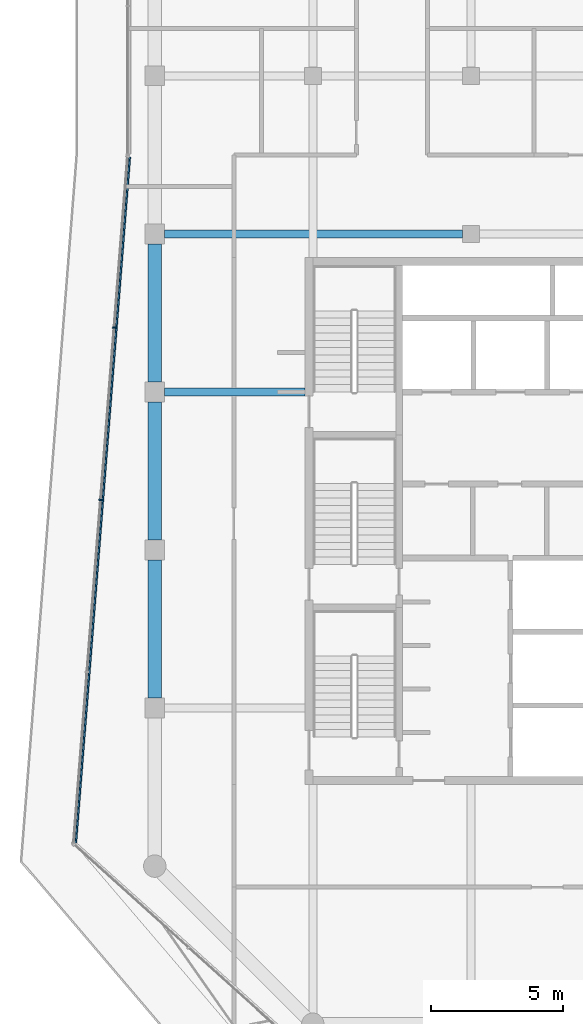
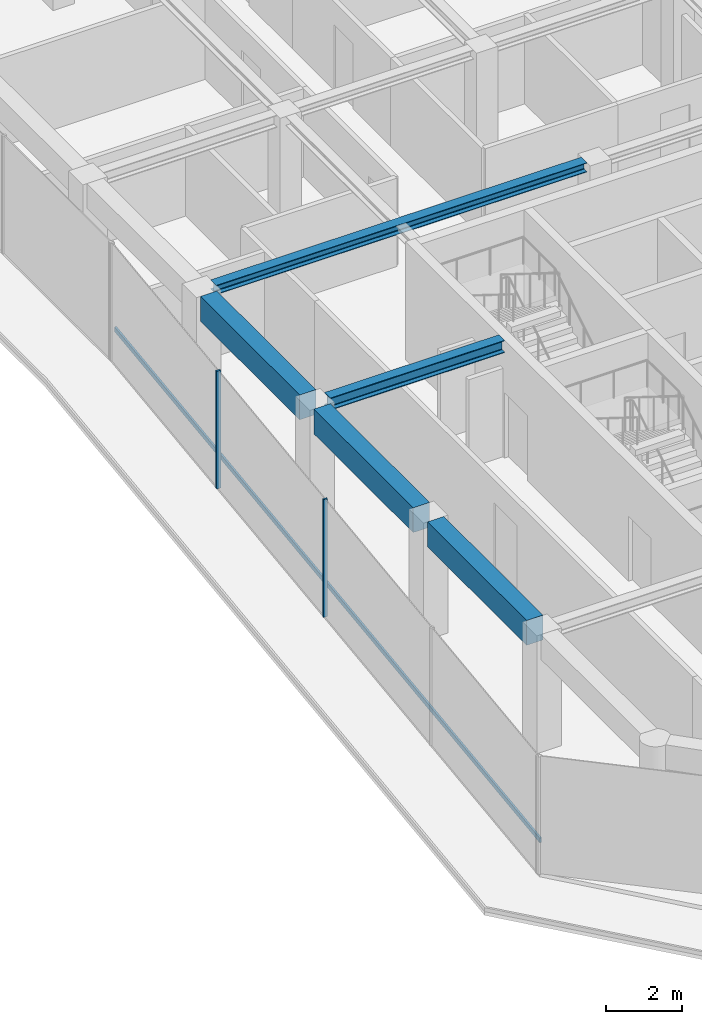
# One storey, part 4 of 22: 5 beams, 3 members, 1 element without a shape of its own.
"""IFC4 building model written with IfcOpenShell, lengths in metres."""

import ifcopenshell
import ifcopenshell.guid

model = None  # the IFC model being written
_history = None  # IfcOwnerHistory: only IFC2X3 demands one
_inside = {}  # id of a spatial element -> (the spatial element, [elements in it])
_under = {}  # id of a project, library or spatial element -> (it, [spatial elements below it])
_declared = {}  # id of a project -> (the project, [libraries it declares])
_typed = {}  # id of a type object -> (the type object, [elements of that type])
_made_of = {}  # id of a material, layer set ... -> (it, [elements and type objects made of it])


def new_model(schema):
    """Start an empty IFC model of exactly this schema.

    Asked for "IFC4X3", IfcOpenShell would pick the latest addendum, in which some entities
    have other attributes; the version numbers below select the first issue.
    IFC2X3 requires an IfcOwnerHistory on every rooted entity: one is made here for all.
    """
    global model, _history
    if schema == "IFC4X3":
        model = ifcopenshell.file(schema_version=(4, 3, 0, 0))
    else:
        model = ifcopenshell.file(schema=schema)
    _inside.clear()
    _under.clear()
    _declared.clear()
    _typed.clear()
    _made_of.clear()
    _history = None
    if model.schema == "IFC2X3":
        org = make("IfcOrganization", Name="unknown")
        user = make(
            "IfcPersonAndOrganization",
            ThePerson=make("IfcPerson", FamilyName="unknown"),
            TheOrganization=org,
        )
        app = make(
            "IfcApplication",
            ApplicationDeveloper=org,
            Version="unknown",
            ApplicationFullName="unknown",
            ApplicationIdentifier="unknown",
        )
        _history = make(
            "IfcOwnerHistory",
            OwningUser=user,
            OwningApplication=app,
            ChangeAction="ADDED",
            CreationDate=0,
        )
    return model


def make(cls, **values):
    """One entity of the class cls with the attributes given. An attribute that is None is left unset."""
    return model.create_entity(
        cls, **{name: value for name, value in values.items() if value is not None}
    )


def rooted(cls, **values):
    """An entity with a GlobalId (a new one), such as an element, a storey or a relation."""
    return make(cls, GlobalId=ifcopenshell.guid.new(), OwnerHistory=_history, **values)


def si_unit(unit_type, name, prefix=None):
    """IfcSIUnit, for example si_unit("LENGTHUNIT", "METRE", prefix="MILLI")."""
    return make("IfcSIUnit", UnitType=unit_type, Prefix=prefix, Name=name)


def assignment(units):
    """IfcUnitAssignment: the units of a project."""
    return None if units is None else make("IfcUnitAssignment", Units=units)


def point(xyz):
    """IfcCartesianPoint."""
    return None if xyz is None else make("IfcCartesianPoint", Coordinates=xyz)


def direction(xyz):
    """IfcDirection."""
    return None if xyz is None else make("IfcDirection", DirectionRatios=xyz)


def frame(location, z_axis=None, x_axis=None):
    """IfcAxis2Placement3D, a coordinate frame: its origin and axes. An axis left out is left unset."""
    return make(
        "IfcAxis2Placement3D",
        Location=point(location),
        Axis=direction(z_axis),
        RefDirection=direction(x_axis),
    )


def frame_2d(location, x_axis=None):
    """IfcAxis2Placement2D, a coordinate frame in the plane: its origin and x axis."""
    return make(
        "IfcAxis2Placement2D", Location=point(location), RefDirection=direction(x_axis)
    )


def origin():
    """The frame at (0, 0, 0) with its axes left unset."""
    return frame((0.0, 0.0, 0.0))


def origin_2d():
    """The frame at (0, 0) in the plane with its x axis left unset."""
    return frame_2d((0.0, 0.0))


def place(relative_to, where):
    """IfcLocalPlacement: puts the frame where relative to a parent placement (None: the world)."""
    return make(
        "IfcLocalPlacement", PlacementRelTo=relative_to, RelativePlacement=where
    )


def context(
    kind, dimensions, precision=None, world=None, true_north=None, identifier=None
):
    """IfcGeometricRepresentationContext, for example the 3D "Model" context."""
    return make(
        "IfcGeometricRepresentationContext",
        ContextIdentifier=identifier,
        ContextType=kind,
        CoordinateSpaceDimension=dimensions,
        Precision=precision,
        WorldCoordinateSystem=world,
        TrueNorth=true_north,
    )


def subcontext(parent, identifier, kind, view, scale=None):
    """IfcGeometricRepresentationSubContext, for example "Body" below "Model"."""
    return make(
        "IfcGeometricRepresentationSubContext",
        ContextIdentifier=identifier,
        ContextType=kind,
        ParentContext=parent,
        TargetScale=scale,
        TargetView=view,
    )


def project(units=None, contexts=None):
    """IfcProject with its units and contexts."""
    return rooted(
        "IfcProject",
        Name="project",
        RepresentationContexts=contexts,
        UnitsInContext=assignment(units),
    )


def spatial(cls, under=None, at=None, **own):
    """A site, building, storey or space (cls), placed at a placement, below another one or the project."""
    s = rooted(cls, ObjectPlacement=at, **own)
    if under is not None:
        _under.setdefault(under.id(), (under, []))[1].append(s)
    return s


def profile(cls, at=None, kind="AREA", **sizes):
    """A parametric profile (cls). Its sizes go by their IFC names, for example OverallWidth=200.0."""
    return make(cls, ProfileType=kind, Position=at, **sizes)


def rectangle(**sizes):
    """IfcRectangleProfileDef."""
    return profile("IfcRectangleProfileDef", **sizes)


def i_section(**sizes):
    """IfcIShapeProfileDef."""
    return profile("IfcIShapeProfileDef", **sizes)


def extrude(swept, where, along, depth):
    """IfcExtrudedAreaSolid: the profile swept, set in the frame where, extruded along a direction by depth."""
    return make(
        "IfcExtrudedAreaSolid",
        SweptArea=swept,
        Position=where,
        ExtrudedDirection=direction(along),
        Depth=depth,
    )


def shape(context_of_items, identifier, shape_type, items):
    """IfcShapeRepresentation: the items that make up one representation, for example the "Body"."""
    return make(
        "IfcShapeRepresentation",
        ContextOfItems=context_of_items,
        RepresentationIdentifier=identifier,
        RepresentationType=shape_type,
        Items=items,
    )


def material(Name=None, Category=None):
    """IfcMaterial."""
    return make("IfcMaterial", Name=Name, Category=Category)


def layer(
    of_material, thickness, ventilated=None, Name=None, Category=None, Priority=None
):
    """IfcMaterialLayer: one layer of a wall or slab, of a material (None: an air gap)."""
    return make(
        "IfcMaterialLayer",
        Material=of_material,
        LayerThickness=thickness,
        IsVentilated=ventilated,
        Name=Name,
        Category=Category,
        Priority=Priority,
    )


def layer_set(layers, Name=None):
    """IfcMaterialLayerSet."""
    return make("IfcMaterialLayerSet", MaterialLayers=layers, LayerSetName=Name)


def material_profile(
    of_material, cross_section, Name=None, Category=None, Priority=None
):
    """IfcMaterialProfile: a cross section and its material."""
    return make(
        "IfcMaterialProfile",
        Name=Name,
        Material=of_material,
        Profile=cross_section,
        Priority=Priority,
        Category=Category,
    )


def profile_set(profiles, Name=None, composite=None):
    """IfcMaterialProfileSet."""
    return make(
        "IfcMaterialProfileSet",
        Name=Name,
        MaterialProfiles=profiles,
        CompositeProfile=composite,
    )


def made_of(thing, what):
    """Note that an element or type object is made of a material, layer set ...; save() writes the relation."""
    if what is not None:
        _made_of.setdefault(what.id(), (what, []))[1].append(thing)
    return thing


def type_object(cls, material=None, **own):
    """A type object (cls), such as IfcWallType, which elements share."""
    return made_of(rooted(cls, **own), material)


def element(
    cls,
    number,
    at=None,
    inside=None,
    cuts=None,
    type_object=None,
    material=None,
    context=None,
    identifier="Body",
    shape_type=None,
    held_by="IfcProductDefinitionShape",
    body=None,
    shapes=None,
    **own,
):
    """One element of the class cls, such as IfcWall. Its Tag is "e" and its number.

    at: its placement. inside: the storey or other place that contains it. cuts: it is an
    opening in that element (IfcRelVoidsElement). A single representation is given by context,
    identifier, shape_type and body (its items); several are given by shapes. held_by: the class
    of the entity that holds the representations. save() writes the other relations.
    """
    e = rooted(cls, Tag="e%d" % number, ObjectPlacement=at, **own)
    if body is not None:
        shapes = [shape(context, identifier, shape_type, body)]
    if shapes is not None:
        e.Representation = make(held_by, Representations=shapes)
    if inside is not None:
        _inside.setdefault(inside.id(), (inside, []))[1].append(e)
    if cuts is not None:
        rooted(
            "IfcRelVoidsElement", RelatingBuildingElement=cuts, RelatedOpeningElement=e
        )
    if type_object is not None:
        _typed.setdefault(type_object.id(), (type_object, []))[1].append(e)
    return made_of(e, material)


def aggregate(whole, parts):
    """IfcRelAggregates: a whole, such as a stair, and the parts it consists of."""
    return rooted("IfcRelAggregates", RelatingObject=whole, RelatedObjects=parts)


def save(model, path):
    """Write the relations noted so far, then the file.

    IfcRelAggregates (storeys below a building ...), IfcRelContainedInSpatialStructure (elements
    in a storey), IfcRelDefinesByType, IfcRelAssociatesMaterial and IfcRelDeclares: one each for
    every whole, place, type object, material and project.
    """
    for whole, parts in _under.values():
        aggregate(whole, parts)
    for where, things in _inside.values():
        rooted(
            "IfcRelContainedInSpatialStructure",
            RelatedElements=things,
            RelatingStructure=where,
        )
    for kind, things in _typed.values():
        rooted("IfcRelDefinesByType", RelatedObjects=things, RelatingType=kind)
    for what, things in _made_of.values():
        rooted("IfcRelAssociatesMaterial", RelatedObjects=things, RelatingMaterial=what)
    for by, libraries in _declared.values():
        rooted("IfcRelDeclares", RelatingContext=by, RelatedDefinitions=libraries)
    model.write(path)


model = new_model("IFC4")

# Units and contexts
model_context = context("Model", 3, precision=1e-05, world=origin(), true_north=direction((0.0, 1.0)))
body_context = subcontext(model_context, "Body", "Model", "MODEL_VIEW")
ifc_project = project(units=[si_unit("LENGTHUNIT", "METRE"), si_unit("AREAUNIT", "SQUARE_METRE"), si_unit("VOLUMEUNIT", "CUBIC_METRE"), si_unit("PLANEANGLEUNIT", "RADIAN"), si_unit("MASSUNIT", "GRAM", prefix="KILO")], contexts=[model_context])

# Site, building, storey
site_placement = place(None, origin())
site = spatial("IfcSite", under=ifc_project, at=site_placement, CompositionType="ELEMENT")
building_placement = place(site_placement, origin())
building = spatial("IfcBuilding", under=site, at=building_placement, Name="Welwitschia Terrace Campus", CompositionType="ELEMENT")
storey_placement = place(building_placement, frame((0.0, 0.0, 268.39990234375)))
storey = spatial("IfcBuildingStorey", under=building, at=storey_placement, Name="L59", CompositionType="ELEMENT", Elevation=268.39990234375)

# Beam
ifc_material_1 = material(Name="Steel S355", Category="steel")
ifc_material_profile_1 = material_profile(ifc_material_1, i_section(OverallWidth=0.300048828125, OverallDepth=0.300048828125, WebThickness=0.010986328125, FlangeThickness=0.01904296875, FilletRadius=0.027099609375, at=origin_2d()))
ifc_profile_set_1 = profile_set([ifc_material_profile_1], Name="Steel S355")
beam_type_1 = type_object("IfcBeamType", Name="Interior girder HE 300 B", PredefinedType="BEAM", material=ifc_profile_set_1)
beam_1_placement = place(storey_placement, frame((0.365478515625, 26.0, 3.650146484375), z_axis=(1.0, 0.0, 0.0), x_axis=(0.0, 1.0, 0.0)))
element("IfcBeam", 1, at=beam_1_placement, inside=storey, type_object=beam_type_1, Name="Girder GB6", PredefinedType="BEAM", context=body_context, shape_type="SweptSolid", body=[
    extrude(i_section(OverallWidth=0.300048828125, OverallDepth=0.300048828125, WebThickness=0.010986328125, FlangeThickness=0.01904296875, FilletRadius=0.027099609375, at=origin_2d()), origin(), (0.0, 0.0, 1.0), 11.30908203125),
])

# Curtain wall, members
ifc_material_2 = material(Name="Bronze anodised aluminium", Category="aluminium")
ifc_layer = layer(ifc_material_2, 0.1201171875)
ifc_layer_set = layer_set([ifc_layer], Name="Bronze anodised aluminium")
curtain_wall_type = type_object("IfcCurtainWallType", Name="Curtain wall CW2 tower 6000", PredefinedType="NOTDEFINED", material=ifc_layer_set)
curtain_wall_placement = place(storey_placement, origin())
curtain_wall = element("IfcCurtainWall", 2, at=curtain_wall_placement, inside=storey, type_object=curtain_wall_type, Name="CW L59.1.0", PredefinedType="NOTDEFINED")
ifc_material_3 = material(Name="Bronze anodised aluminium", Category="aluminium")
ifc_material_profile_2 = material_profile(ifc_material_3, rectangle(XDim=0.1201171875, YDim=0.06005859375, at=origin_2d()))
ifc_profile_set_2 = profile_set([ifc_material_profile_2], Name="Bronze anodised aluminium")
member_type_1 = type_object("IfcMemberType", Name="Mullion 60x120", PredefinedType="MULLION", material=ifc_profile_set_2)
member_1_placement = place(storey_placement, frame((-1.54443359375, 22.44140625, 0.0), z_axis=(0.0, 0.0, 1.0), x_axis=(0.996917333733, -0.078459095728, 0.0)))
member_1 = element("IfcMember", 3, at=member_1_placement, type_object=member_type_1, Name="Mullion L59.1.0.1", PredefinedType="MULLION", context=body_context, shape_type="SweptSolid", body=[
    extrude(rectangle(XDim=0.1201171875, YDim=0.06005859375, at=origin_2d()), origin(), (0.0, 0.0, 1.0), 3.800048828125),
])
member_2_placement = place(storey_placement, frame((-2.058837890625, 15.9052734375, 0.0), z_axis=(0.0, 0.0, 1.0), x_axis=(0.996917333733, -0.078459095728, 0.0)))
member_2 = element("IfcMember", 4, at=member_2_placement, type_object=member_type_1, Name="Mullion L59.1.0.2", PredefinedType="MULLION", context=body_context, shape_type="SweptSolid", body=[
    extrude(rectangle(XDim=0.1201171875, YDim=0.06005859375, at=origin_2d()), origin(), (0.0, 0.0, 1.0), 3.800048828125),
])

# Beams
ifc_material_4 = material(Name="Steel S355", Category="steel")
ifc_material_profile_3 = material_profile(ifc_material_4, i_section(OverallWidth=0.300048828125, OverallDepth=0.39990234375, WebThickness=0.013427734375, FlangeThickness=0.02392578125, FilletRadius=0.027099609375, at=origin_2d()))
ifc_profile_set_3 = profile_set([ifc_material_profile_3], Name="Steel S355")
beam_type_2 = type_object("IfcBeamType", Name="Primary beam HE 400 B", PredefinedType="BEAM", material=ifc_profile_set_3)
beam_2_placement = place(storey_placement, frame((0.37548828125, 20.0, 3.60009765625), z_axis=(1.0, 0.0, 0.0), x_axis=(0.0, 1.0, 0.0)))
element("IfcBeam", 5, at=beam_2_placement, inside=storey, type_object=beam_type_2, Name="Primary beam PB6", PredefinedType="BEAM", context=body_context, shape_type="SweptSolid", body=[
    extrude(i_section(OverallWidth=0.300048828125, OverallDepth=0.39990234375, WebThickness=0.013427734375, FlangeThickness=0.02392578125, FilletRadius=0.027099609375, at=origin_2d()), origin(), (0.0, 0.0, 1.0), 5.324462890625),
])
ifc_material_5 = material(Name="Concrete C50/60", Category="concrete")
ifc_material_profile_4 = material_profile(ifc_material_5, rectangle(XDim=0.5, YDim=0.800048828125, at=origin_2d()))
ifc_profile_set_4 = profile_set([ifc_material_profile_4], Name="Concrete C50/60")
beam_type_3 = type_object("IfcBeamType", Name="Ring spandrel 500x800", PredefinedType="SPANDREL", material=ifc_profile_set_4)
for number, where, z_axis, x_axis, name in (
    (6, (0.0, 25.62451171875, 3.400146484375), (0.0, -1.0, 0.0), (1.0, 0.0, 0.0), "Spandrel SP4"),
    (7, (0.0, 19.62451171875, 3.400146484375), (0.0, -1.0, 0.0), (1.0, 0.0, 0.0), "Spandrel SP4"),
    (8, (0.0, 13.62451171875, 3.400146484375), (0.0, -1.0, 0.0), (1.0, 0.0, 0.0), "Spandrel SP4"),
):
    element("IfcBeam", number, at=place(storey_placement, frame(where, z_axis=z_axis, x_axis=x_axis)), inside=storey, type_object=beam_type_3, Name=name, PredefinedType="SPANDREL", context=body_context, shape_type="SweptSolid", body=[
        extrude(rectangle(XDim=0.5, YDim=0.800048828125, at=origin_2d()), origin(), (0.0, 0.0, 1.0), 5.2490234375),
    ])

# Member
ifc_material_6 = material(Name="Bronze anodised aluminium", Category="aluminium")
ifc_material_profile_5 = material_profile(ifc_material_6, rectangle(XDim=0.06005859375, YDim=0.14990234375, at=origin_2d()))
ifc_profile_set_5 = profile_set([ifc_material_profile_5], Name="Bronze anodised aluminium")
member_type_2 = type_object("IfcMemberType", Name="Transom 60x150", PredefinedType="USERDEFINED", material=ifc_profile_set_5)
member_3_placement = place(storey_placement, frame((-0.945068359375, 28.91064453125, 1.0), z_axis=(-0.078455695354, -0.996917601343, 0.0), x_axis=(0.996917601343, -0.078455695354, 0.0)))
member_3 = element("IfcMember", 9, at=member_3_placement, type_object=member_type_2, Name="Transom L59.1.0", ObjectType="TRANSOM", PredefinedType="USERDEFINED", context=body_context, shape_type="SweptSolid", body=[
    extrude(rectangle(XDim=0.06005859375, YDim=0.14990234375, at=origin_2d()), origin(), (0.0, 0.0, 1.0), 26.105224609375),
])

aggregate(curtain_wall, [member_1, member_2, member_3])

save(model, "model.ifc")
